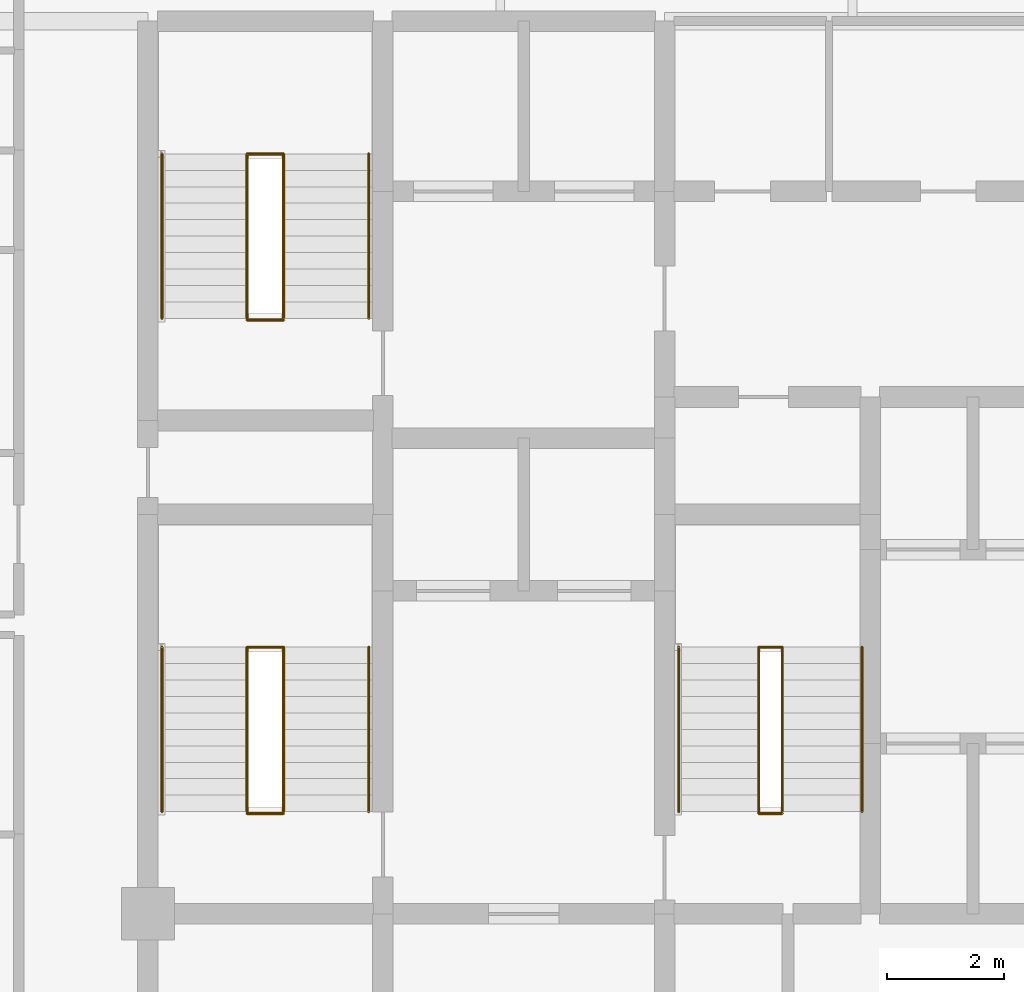
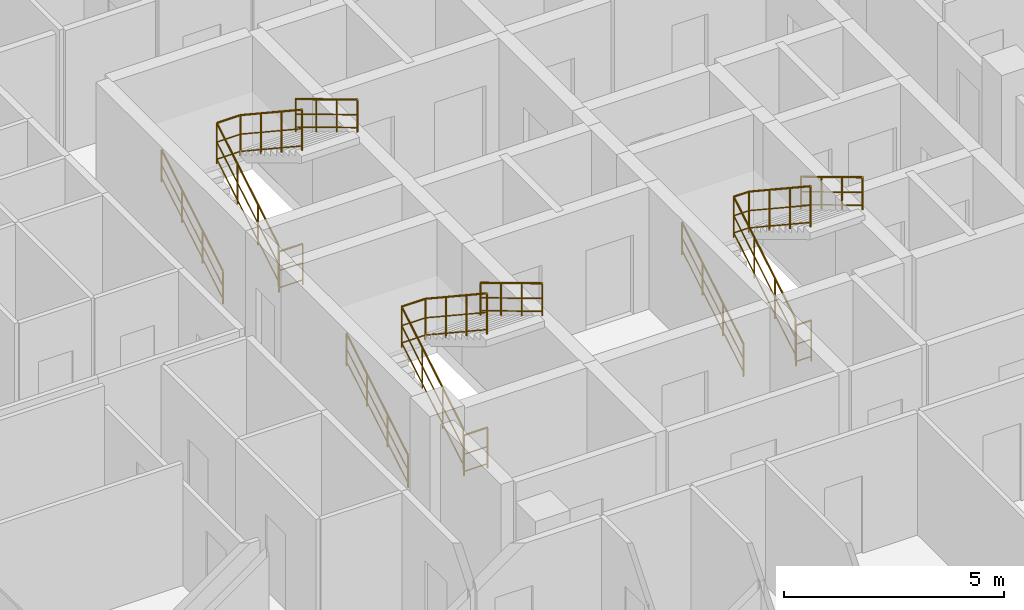
# One storey, part 29 of 29: 12 railings.
"""IFC4 building model written with IfcOpenShell, lengths in metres."""

from ifc_helpers import new_model, si_unit, direction, frame, origin, origin_2d, place, context, subcontext, project, spatial, circle, extrude, material, layer, layer_set, type_object, element, save


model = new_model("IFC4")

# Units and contexts
model_context = context("Model", 3, precision=1e-05, world=origin(), true_north=direction((0.0, 1.0)))
body_context = subcontext(model_context, "Body", "Model", "MODEL_VIEW")
ifc_project = project(units=[si_unit("LENGTHUNIT", "METRE"), si_unit("AREAUNIT", "SQUARE_METRE"), si_unit("VOLUMEUNIT", "CUBIC_METRE"), si_unit("PLANEANGLEUNIT", "RADIAN"), si_unit("MASSUNIT", "GRAM", prefix="KILO")], contexts=[model_context])

# Site, building, storey
site_placement = place(None, origin())
site = spatial("IfcSite", under=ifc_project, at=site_placement, CompositionType="ELEMENT")
building_placement = place(site_placement, origin())
building = spatial("IfcBuilding", under=site, at=building_placement, Name="Keshet Zoharim Tower", CompositionType="ELEMENT")
storey_placement = place(building_placement, frame((0.0, 0.0, 199.5)))
storey = spatial("IfcBuildingStorey", under=building, at=storey_placement, Name="L49", CompositionType="ELEMENT", Elevation=199.5)

# Railings
ifc_material = material(Name="Steel S355", Category="steel")
ifc_layer_1 = layer(ifc_material, 0.050048828125)
ifc_layer_set_1 = layer_set([ifc_layer_1], Name="Steel S355")
railing_type_1 = type_object("IfcRailingType", Name="RL-HND-092", PredefinedType="HANDRAIL", material=ifc_layer_set_1)
railing_1_placement = place(storey_placement, frame((15.239990234375, 24.43994140625, 0.168212890625)))
element("IfcRailing", 1, at=railing_1_placement, inside=storey, type_object=railing_type_1, Name="L49 ST-01 Flight 1 Wall Handrail", PredefinedType="HANDRAIL", context=body_context, shape_type="SweptSolid", body=[
    extrude(circle(Radius=0.02392578125, at=origin_2d()), frame((0.0, 0.0, 0.89599609375), z_axis=(0.0, 0.857242210791, 0.514913383045), x_axis=(-1.0, 0.0, 0.0)), (0.0, 0.0, 1.0), 3.266357421875),
    extrude(circle(Radius=0.01611328125, at=origin_2d()), frame((0.0, 0.0, 0.478271484375), z_axis=(0.0, 0.857242210791, 0.514913383045), x_axis=(-1.0, 0.0, 0.0)), (0.0, 0.0, 1.0), 3.266357421875),
    extrude(circle(Radius=0.01611328125, at=origin_2d()), frame((0.0, 0.0, 0.1201171875), z_axis=(0.0, 0.857242210791, 0.514913383045), x_axis=(-1.0, 0.0, 0.0)), (0.0, 0.0, 1.0), 3.266357421875),
    extrude(circle(Radius=0.02099609375, at=origin_2d()), origin(), (0.0, 0.0, 1.0), 0.871826171875),
    extrude(circle(Radius=0.02099609375, at=origin_2d()), frame((0.0, 0.933349609375, 0.560546875)), (0.0, 0.0, 1.0), 0.871826171875),
    extrude(circle(Radius=0.02099609375, at=origin_2d()), frame((0.0, 1.86669921875, 1.121337890625)), (0.0, 0.0, 1.0), 0.871826171875),
    extrude(circle(Radius=0.02099609375, at=origin_2d()), frame((0.0, 2.800048828125, 1.681884765625)), (0.0, 0.0, 1.0), 0.871826171875),
])
railing_2_placement = place(storey_placement, frame((18.760009765625, 27.239990234375, 2.018310546875)))
element("IfcRailing", 2, at=railing_2_placement, inside=storey, type_object=railing_type_1, Name="L49 ST-01 Flight 2 Wall Handrail", PredefinedType="HANDRAIL", context=body_context, shape_type="SweptSolid", body=[
    extrude(circle(Radius=0.02392578125, at=origin_2d()), frame((0.0, 0.0, 0.89599609375), z_axis=(0.0, -0.857275202839, 0.514858452973), x_axis=(1.0, 0.0, 0.0)), (0.0, 0.0, 1.0), 3.26611328125),
    extrude(circle(Radius=0.01611328125, at=origin_2d()), frame((0.0, 0.0, 0.478271484375), z_axis=(0.0, -0.857275202839, 0.514858452973), x_axis=(1.0, 0.0, 0.0)), (0.0, 0.0, 1.0), 3.26611328125),
    extrude(circle(Radius=0.01611328125, at=origin_2d()), frame((0.0, 0.0, 0.1201171875), z_axis=(0.0, -0.857275202839, 0.514858452973), x_axis=(1.0, 0.0, 0.0)), (0.0, 0.0, 1.0), 3.26611328125),
    extrude(circle(Radius=0.02099609375, at=origin_2d()), origin(), (0.0, 0.0, 1.0), 0.871826171875),
    extrude(circle(Radius=0.02099609375, at=origin_2d()), frame((0.0, -0.933349609375, 0.560546875)), (0.0, 0.0, 1.0), 0.871826171875),
    extrude(circle(Radius=0.02099609375, at=origin_2d()), frame((0.0, -1.86669921875, 1.12109375)), (0.0, 0.0, 1.0), 0.871826171875),
    extrude(circle(Radius=0.02099609375, at=origin_2d()), frame((0.0, -2.800048828125, 1.681640625)), (0.0, 0.0, 1.0), 0.871826171875),
])
railing_3_placement = place(storey_placement, frame((15.239990234375, 32.840087890625, 0.168212890625)))
element("IfcRailing", 3, at=railing_3_placement, inside=storey, type_object=railing_type_1, Name="L49 ST-02 Flight 1 Wall Handrail", PredefinedType="HANDRAIL", context=body_context, shape_type="SweptSolid", body=[
    extrude(circle(Radius=0.02392578125, at=origin_2d()), frame((0.0, 0.0, 0.89599609375), z_axis=(0.0, 0.857222391501, 0.514946377315), x_axis=(-1.0, 0.0, 0.0)), (0.0, 0.0, 1.0), 3.26611328125),
    extrude(circle(Radius=0.01611328125, at=origin_2d()), frame((0.0, 0.0, 0.478271484375), z_axis=(0.0, 0.857222391501, 0.514946377315), x_axis=(-1.0, 0.0, 0.0)), (0.0, 0.0, 1.0), 3.26611328125),
    extrude(circle(Radius=0.01611328125, at=origin_2d()), frame((0.0, 0.0, 0.1201171875), z_axis=(0.0, 0.857222391501, 0.514946377315), x_axis=(-1.0, 0.0, 0.0)), (0.0, 0.0, 1.0), 3.26611328125),
    extrude(circle(Radius=0.02099609375, at=origin_2d()), origin(), (0.0, 0.0, 1.0), 0.871826171875),
    extrude(circle(Radius=0.02099609375, at=origin_2d()), frame((0.0, 0.933349609375, 0.560546875)), (0.0, 0.0, 1.0), 0.871826171875),
    extrude(circle(Radius=0.02099609375, at=origin_2d()), frame((0.0, 1.866455078125, 1.121337890625)), (0.0, 0.0, 1.0), 0.871826171875),
    extrude(circle(Radius=0.02099609375, at=origin_2d()), frame((0.0, 2.7998046875, 1.681884765625)), (0.0, 0.0, 1.0), 0.871826171875),
])
railing_4_placement = place(storey_placement, frame((18.760009765625, 35.639892578125, 2.018310546875)))
element("IfcRailing", 4, at=railing_4_placement, inside=storey, type_object=railing_type_1, Name="L49 ST-02 Flight 2 Wall Handrail", PredefinedType="HANDRAIL", context=body_context, shape_type="SweptSolid", body=[
    extrude(circle(Radius=0.02392578125, at=origin_2d()), frame((0.0, 0.0, 0.89599609375), z_axis=(0.0, -0.857255387014, 0.514891446264), x_axis=(1.0, 0.0, 0.0)), (0.0, 0.0, 1.0), 3.26611328125),
    extrude(circle(Radius=0.01611328125, at=origin_2d()), frame((0.0, 0.0, 0.478271484375), z_axis=(0.0, -0.857255387014, 0.514891446264), x_axis=(1.0, 0.0, 0.0)), (0.0, 0.0, 1.0), 3.26611328125),
    extrude(circle(Radius=0.01611328125, at=origin_2d()), frame((0.0, 0.0, 0.1201171875), z_axis=(0.0, -0.857255387014, 0.514891446264), x_axis=(1.0, 0.0, 0.0)), (0.0, 0.0, 1.0), 3.26611328125),
    extrude(circle(Radius=0.02099609375, at=origin_2d()), origin(), (0.0, 0.0, 1.0), 0.871826171875),
    extrude(circle(Radius=0.02099609375, at=origin_2d()), frame((0.0, -0.933349609375, 0.560546875)), (0.0, 0.0, 1.0), 0.871826171875),
    extrude(circle(Radius=0.02099609375, at=origin_2d()), frame((0.0, -1.866455078125, 1.12109375)), (0.0, 0.0, 1.0), 0.871826171875),
    extrude(circle(Radius=0.02099609375, at=origin_2d()), frame((0.0, -2.7998046875, 1.681640625)), (0.0, 0.0, 1.0), 0.871826171875),
])
railing_5_placement = place(storey_placement, frame((24.0400390625, 24.43994140625, 0.168212890625)))
element("IfcRailing", 5, at=railing_5_placement, inside=storey, type_object=railing_type_1, Name="L49 ST-03 Flight 1 Wall Handrail", PredefinedType="HANDRAIL", context=body_context, shape_type="SweptSolid", body=[
    extrude(circle(Radius=0.02392578125, at=origin_2d()), frame((0.0, 0.0, 0.89599609375), z_axis=(0.0, 0.857242210791, 0.514913383045), x_axis=(-1.0, 0.0, 0.0)), (0.0, 0.0, 1.0), 3.266357421875),
    extrude(circle(Radius=0.01611328125, at=origin_2d()), frame((0.0, 0.0, 0.478271484375), z_axis=(0.0, 0.857242210791, 0.514913383045), x_axis=(-1.0, 0.0, 0.0)), (0.0, 0.0, 1.0), 3.266357421875),
    extrude(circle(Radius=0.01611328125, at=origin_2d()), frame((0.0, 0.0, 0.1201171875), z_axis=(0.0, 0.857242210791, 0.514913383045), x_axis=(-1.0, 0.0, 0.0)), (0.0, 0.0, 1.0), 3.266357421875),
    extrude(circle(Radius=0.02099609375, at=origin_2d()), origin(), (0.0, 0.0, 1.0), 0.871826171875),
    extrude(circle(Radius=0.02099609375, at=origin_2d()), frame((0.0, 0.933349609375, 0.560546875)), (0.0, 0.0, 1.0), 0.871826171875),
    extrude(circle(Radius=0.02099609375, at=origin_2d()), frame((0.0, 1.86669921875, 1.121337890625)), (0.0, 0.0, 1.0), 0.871826171875),
    extrude(circle(Radius=0.02099609375, at=origin_2d()), frame((0.0, 2.800048828125, 1.681884765625)), (0.0, 0.0, 1.0), 0.871826171875),
])
railing_6_placement = place(storey_placement, frame((27.159912109375, 27.239990234375, 2.018310546875)))
element("IfcRailing", 6, at=railing_6_placement, inside=storey, type_object=railing_type_1, Name="L49 ST-03 Flight 2 Wall Handrail", PredefinedType="HANDRAIL", context=body_context, shape_type="SweptSolid", body=[
    extrude(circle(Radius=0.02392578125, at=origin_2d()), frame((0.0, 0.0, 0.89599609375), z_axis=(0.0, -0.857275202839, 0.514858452973), x_axis=(1.0, 0.0, 0.0)), (0.0, 0.0, 1.0), 3.26611328125),
    extrude(circle(Radius=0.01611328125, at=origin_2d()), frame((0.0, 0.0, 0.478271484375), z_axis=(0.0, -0.857275202839, 0.514858452973), x_axis=(1.0, 0.0, 0.0)), (0.0, 0.0, 1.0), 3.26611328125),
    extrude(circle(Radius=0.01611328125, at=origin_2d()), frame((0.0, 0.0, 0.1201171875), z_axis=(0.0, -0.857275202839, 0.514858452973), x_axis=(1.0, 0.0, 0.0)), (0.0, 0.0, 1.0), 3.26611328125),
    extrude(circle(Radius=0.02099609375, at=origin_2d()), origin(), (0.0, 0.0, 1.0), 0.871826171875),
    extrude(circle(Radius=0.02099609375, at=origin_2d()), frame((0.0, -0.933349609375, 0.560546875)), (0.0, 0.0, 1.0), 0.871826171875),
    extrude(circle(Radius=0.02099609375, at=origin_2d()), frame((0.0, -1.86669921875, 1.12109375)), (0.0, 0.0, 1.0), 0.871826171875),
    extrude(circle(Radius=0.02099609375, at=origin_2d()), frame((0.0, -2.800048828125, 1.681640625)), (0.0, 0.0, 1.0), 0.871826171875),
])
ifc_layer_2 = layer(ifc_material, 0.06005859375)
ifc_layer_set_2 = layer_set([ifc_layer_2], Name="Steel S355")
railing_type_2 = type_object("IfcRailingType", Name="RL-STG-115", PredefinedType="GUARDRAIL", material=ifc_layer_set_2)
railing_7_placement = place(storey_placement, frame((16.68994140625, 24.43994140625, 0.168212890625)))
element("IfcRailing", 7, at=railing_7_placement, inside=storey, type_object=railing_type_2, Name="L49 ST-01 Inner Well Guardrail", PredefinedType="GUARDRAIL", context=body_context, shape_type="SweptSolid", body=[
    extrude(circle(Radius=0.02392578125, at=origin_2d()), frame((0.0, 0.0, 1.1259765625), z_axis=(0.0, 0.857242210791, 0.514913383045), x_axis=(-1.0, 0.0, 0.0)), (0.0, 0.0, 1.0), 3.266357421875),
    extrude(circle(Radius=0.01611328125, at=origin_2d()), frame((0.0, 0.0, 0.597900390625), z_axis=(0.0, 0.857242210791, 0.514913383045), x_axis=(-1.0, 0.0, 0.0)), (0.0, 0.0, 1.0), 3.266357421875),
    extrude(circle(Radius=0.01611328125, at=origin_2d()), frame((0.0, 0.0, 0.1201171875), z_axis=(0.0, 0.857242210791, 0.514913383045), x_axis=(-1.0, 0.0, 0.0)), (0.0, 0.0, 1.0), 3.266357421875),
    extrude(circle(Radius=0.02392578125, at=origin_2d()), frame((0.0, 2.800048828125, 2.8076171875), z_axis=(1.0, 0.0, 0.0), x_axis=(0.0, 1.0, 0.0)), (0.0, 0.0, 1.0), 0.6201171875),
    extrude(circle(Radius=0.01611328125, at=origin_2d()), frame((0.0, 2.800048828125, 2.27978515625), z_axis=(1.0, 0.0, 0.0), x_axis=(0.0, 1.0, 0.0)), (0.0, 0.0, 1.0), 0.6201171875),
    extrude(circle(Radius=0.01611328125, at=origin_2d()), frame((0.0, 2.800048828125, 1.802001953125), z_axis=(1.0, 0.0, 0.0), x_axis=(0.0, 1.0, 0.0)), (0.0, 0.0, 1.0), 0.6201171875),
    extrude(circle(Radius=0.02392578125, at=origin_2d()), frame((0.6201171875, 2.800048828125, 2.8076171875), z_axis=(0.0, -0.83435981716, 0.551220187865), x_axis=(1.0, 0.0, 0.0)), (0.0, 0.0, 1.0), 3.35595703125),
    extrude(circle(Radius=0.01611328125, at=origin_2d()), frame((0.6201171875, 2.800048828125, 2.27978515625), z_axis=(0.0, -0.83435981716, 0.551220187865), x_axis=(1.0, 0.0, 0.0)), (0.0, 0.0, 1.0), 3.35595703125),
    extrude(circle(Radius=0.01611328125, at=origin_2d()), frame((0.6201171875, 2.800048828125, 1.802001953125), z_axis=(0.0, -0.83435981716, 0.551220187865), x_axis=(1.0, 0.0, 0.0)), (0.0, 0.0, 1.0), 3.35595703125),
    extrude(circle(Radius=0.02099609375, at=origin_2d()), origin(), (0.0, 0.0, 1.0), 1.101806640625),
    extrude(circle(Radius=0.02099609375, at=origin_2d()), frame((0.0, 0.933349609375, 0.560546875)), (0.0, 0.0, 1.0), 1.101806640625),
    extrude(circle(Radius=0.02099609375, at=origin_2d()), frame((0.0, 1.86669921875, 1.121337890625)), (0.0, 0.0, 1.0), 1.101806640625),
    extrude(circle(Radius=0.02099609375, at=origin_2d()), frame((0.0, 2.800048828125, 1.681884765625)), (0.0, 0.0, 1.0), 1.101806640625),
    extrude(circle(Radius=0.02099609375, at=origin_2d()), frame((0.6201171875, 2.800048828125, 1.681884765625)), (0.0, 0.0, 1.0), 1.101806640625),
    extrude(circle(Radius=0.02099609375, at=origin_2d()), frame((0.6201171875, 1.86669921875, 2.298583984375)), (0.0, 0.0, 1.0), 1.101806640625),
    extrude(circle(Radius=0.02099609375, at=origin_2d()), frame((0.6201171875, 0.933349609375, 2.9150390625)), (0.0, 0.0, 1.0), 1.101806640625),
    extrude(circle(Radius=0.02099609375, at=origin_2d()), frame((0.6201171875, 0.0, 3.53173828125)), (0.0, 0.0, 1.0), 1.101806640625),
])
railing_8_placement = place(storey_placement, frame((16.68994140625, 24.409912109375, 0.0)))
element("IfcRailing", 8, at=railing_8_placement, inside=storey, type_object=railing_type_2, Name="L49 ST-01 Stairwell Floor Guardrail", PredefinedType="GUARDRAIL", context=body_context, shape_type="SweptSolid", body=[
    extrude(circle(Radius=0.02392578125, at=origin_2d()), frame((0.0, 0.0, 1.1259765625), z_axis=(1.0, 0.0, 0.0), x_axis=(0.0, 1.0, 0.0)), (0.0, 0.0, 1.0), 0.6201171875),
    extrude(circle(Radius=0.01611328125, at=origin_2d()), frame((0.0, 0.0, 0.597900390625), z_axis=(1.0, 0.0, 0.0), x_axis=(0.0, 1.0, 0.0)), (0.0, 0.0, 1.0), 0.6201171875),
    extrude(circle(Radius=0.01611328125, at=origin_2d()), frame((0.0, 0.0, 0.1201171875), z_axis=(1.0, 0.0, 0.0), x_axis=(0.0, 1.0, 0.0)), (0.0, 0.0, 1.0), 0.6201171875),
    extrude(circle(Radius=0.02099609375, at=origin_2d()), origin(), (0.0, 0.0, 1.0), 1.101806640625),
    extrude(circle(Radius=0.02099609375, at=origin_2d()), frame((0.6201171875, 0.0, 0.0)), (0.0, 0.0, 1.0), 1.101806640625),
])
railing_9_placement = place(storey_placement, frame((16.68994140625, 32.840087890625, 0.168212890625)))
element("IfcRailing", 9, at=railing_9_placement, inside=storey, type_object=railing_type_2, Name="L49 ST-02 Inner Well Guardrail", PredefinedType="GUARDRAIL", context=body_context, shape_type="SweptSolid", body=[
    extrude(circle(Radius=0.02392578125, at=origin_2d()), frame((0.0, 0.0, 1.1259765625), z_axis=(0.0, 0.857222391501, 0.514946377315), x_axis=(-1.0, 0.0, 0.0)), (0.0, 0.0, 1.0), 3.26611328125),
    extrude(circle(Radius=0.01611328125, at=origin_2d()), frame((0.0, 0.0, 0.597900390625), z_axis=(0.0, 0.857222391501, 0.514946377315), x_axis=(-1.0, 0.0, 0.0)), (0.0, 0.0, 1.0), 3.26611328125),
    extrude(circle(Radius=0.01611328125, at=origin_2d()), frame((0.0, 0.0, 0.1201171875), z_axis=(0.0, 0.857222391501, 0.514946377315), x_axis=(-1.0, 0.0, 0.0)), (0.0, 0.0, 1.0), 3.26611328125),
    extrude(circle(Radius=0.02392578125, at=origin_2d()), frame((0.0, 2.7998046875, 2.8076171875), z_axis=(1.0, 0.0, 0.0), x_axis=(0.0, 1.0, 0.0)), (0.0, 0.0, 1.0), 0.6201171875),
    extrude(circle(Radius=0.01611328125, at=origin_2d()), frame((0.0, 2.7998046875, 2.27978515625), z_axis=(1.0, 0.0, 0.0), x_axis=(0.0, 1.0, 0.0)), (0.0, 0.0, 1.0), 0.6201171875),
    extrude(circle(Radius=0.01611328125, at=origin_2d()), frame((0.0, 2.7998046875, 1.802001953125), z_axis=(1.0, 0.0, 0.0), x_axis=(0.0, 1.0, 0.0)), (0.0, 0.0, 1.0), 0.6201171875),
    extrude(circle(Radius=0.02392578125, at=origin_2d()), frame((0.6201171875, 2.7998046875, 2.8076171875), z_axis=(0.0, -0.834337710781, 0.551253647941), x_axis=(1.0, 0.0, 0.0)), (0.0, 0.0, 1.0), 3.355712890625),
    extrude(circle(Radius=0.01611328125, at=origin_2d()), frame((0.6201171875, 2.7998046875, 2.27978515625), z_axis=(0.0, -0.834337710781, 0.551253647941), x_axis=(1.0, 0.0, 0.0)), (0.0, 0.0, 1.0), 3.355712890625),
    extrude(circle(Radius=0.01611328125, at=origin_2d()), frame((0.6201171875, 2.7998046875, 1.802001953125), z_axis=(0.0, -0.834337710781, 0.551253647941), x_axis=(1.0, 0.0, 0.0)), (0.0, 0.0, 1.0), 3.355712890625),
    extrude(circle(Radius=0.02099609375, at=origin_2d()), origin(), (0.0, 0.0, 1.0), 1.101806640625),
    extrude(circle(Radius=0.02099609375, at=origin_2d()), frame((0.0, 0.933349609375, 0.560546875)), (0.0, 0.0, 1.0), 1.101806640625),
    extrude(circle(Radius=0.02099609375, at=origin_2d()), frame((0.0, 1.866455078125, 1.121337890625)), (0.0, 0.0, 1.0), 1.101806640625),
    extrude(circle(Radius=0.02099609375, at=origin_2d()), frame((0.0, 2.7998046875, 1.681884765625)), (0.0, 0.0, 1.0), 1.101806640625),
    extrude(circle(Radius=0.02099609375, at=origin_2d()), frame((0.6201171875, 2.7998046875, 1.681884765625)), (0.0, 0.0, 1.0), 1.101806640625),
    extrude(circle(Radius=0.02099609375, at=origin_2d()), frame((0.6201171875, 1.866455078125, 2.298583984375)), (0.0, 0.0, 1.0), 1.101806640625),
    extrude(circle(Radius=0.02099609375, at=origin_2d()), frame((0.6201171875, 0.933349609375, 2.9150390625)), (0.0, 0.0, 1.0), 1.101806640625),
    extrude(circle(Radius=0.02099609375, at=origin_2d()), frame((0.6201171875, 0.0, 3.53173828125)), (0.0, 0.0, 1.0), 1.101806640625),
])
railing_10_placement = place(storey_placement, frame((16.68994140625, 32.81005859375, 0.0)))
element("IfcRailing", 10, at=railing_10_placement, inside=storey, type_object=railing_type_2, Name="L49 ST-02 Stairwell Floor Guardrail", PredefinedType="GUARDRAIL", context=body_context, shape_type="SweptSolid", body=[
    extrude(circle(Radius=0.02392578125, at=origin_2d()), frame((0.0, 0.0, 1.1259765625), z_axis=(1.0, 0.0, 0.0), x_axis=(0.0, 1.0, 0.0)), (0.0, 0.0, 1.0), 0.6201171875),
    extrude(circle(Radius=0.01611328125, at=origin_2d()), frame((0.0, 0.0, 0.597900390625), z_axis=(1.0, 0.0, 0.0), x_axis=(0.0, 1.0, 0.0)), (0.0, 0.0, 1.0), 0.6201171875),
    extrude(circle(Radius=0.01611328125, at=origin_2d()), frame((0.0, 0.0, 0.1201171875), z_axis=(1.0, 0.0, 0.0), x_axis=(0.0, 1.0, 0.0)), (0.0, 0.0, 1.0), 0.6201171875),
    extrude(circle(Radius=0.02099609375, at=origin_2d()), origin(), (0.0, 0.0, 1.0), 1.101806640625),
    extrude(circle(Radius=0.02099609375, at=origin_2d()), frame((0.6201171875, 0.0, 0.0)), (0.0, 0.0, 1.0), 1.101806640625),
])
railing_11_placement = place(storey_placement, frame((25.39990234375, 24.43994140625, 0.168212890625)))
element("IfcRailing", 11, at=railing_11_placement, inside=storey, type_object=railing_type_2, Name="L49 ST-03 Inner Well Guardrail", PredefinedType="GUARDRAIL", context=body_context, shape_type="SweptSolid", body=[
    extrude(circle(Radius=0.02392578125, at=origin_2d()), frame((0.0, 0.0, 1.1259765625), z_axis=(0.0, 0.857242210791, 0.514913383045), x_axis=(-1.0, 0.0, 0.0)), (0.0, 0.0, 1.0), 3.266357421875),
    extrude(circle(Radius=0.01611328125, at=origin_2d()), frame((0.0, 0.0, 0.597900390625), z_axis=(0.0, 0.857242210791, 0.514913383045), x_axis=(-1.0, 0.0, 0.0)), (0.0, 0.0, 1.0), 3.266357421875),
    extrude(circle(Radius=0.01611328125, at=origin_2d()), frame((0.0, 0.0, 0.1201171875), z_axis=(0.0, 0.857242210791, 0.514913383045), x_axis=(-1.0, 0.0, 0.0)), (0.0, 0.0, 1.0), 3.266357421875),
    extrude(circle(Radius=0.02392578125, at=origin_2d()), frame((0.0, 2.800048828125, 2.8076171875), z_axis=(1.0, 0.0, 0.0), x_axis=(0.0, 1.0, 0.0)), (0.0, 0.0, 1.0), 0.400146484375),
    extrude(circle(Radius=0.01611328125, at=origin_2d()), frame((0.0, 2.800048828125, 2.27978515625), z_axis=(1.0, 0.0, 0.0), x_axis=(0.0, 1.0, 0.0)), (0.0, 0.0, 1.0), 0.400146484375),
    extrude(circle(Radius=0.01611328125, at=origin_2d()), frame((0.0, 2.800048828125, 1.802001953125), z_axis=(1.0, 0.0, 0.0), x_axis=(0.0, 1.0, 0.0)), (0.0, 0.0, 1.0), 0.400146484375),
    extrude(circle(Radius=0.02392578125, at=origin_2d()), frame((0.400146484375, 2.800048828125, 2.8076171875), z_axis=(0.0, -0.83435981716, 0.551220187865), x_axis=(1.0, 0.0, 0.0)), (0.0, 0.0, 1.0), 3.35595703125),
    extrude(circle(Radius=0.01611328125, at=origin_2d()), frame((0.400146484375, 2.800048828125, 2.27978515625), z_axis=(0.0, -0.83435981716, 0.551220187865), x_axis=(1.0, 0.0, 0.0)), (0.0, 0.0, 1.0), 3.35595703125),
    extrude(circle(Radius=0.01611328125, at=origin_2d()), frame((0.400146484375, 2.800048828125, 1.802001953125), z_axis=(0.0, -0.83435981716, 0.551220187865), x_axis=(1.0, 0.0, 0.0)), (0.0, 0.0, 1.0), 3.35595703125),
    extrude(circle(Radius=0.02099609375, at=origin_2d()), origin(), (0.0, 0.0, 1.0), 1.101806640625),
    extrude(circle(Radius=0.02099609375, at=origin_2d()), frame((0.0, 0.933349609375, 0.560546875)), (0.0, 0.0, 1.0), 1.101806640625),
    extrude(circle(Radius=0.02099609375, at=origin_2d()), frame((0.0, 1.86669921875, 1.121337890625)), (0.0, 0.0, 1.0), 1.101806640625),
    extrude(circle(Radius=0.02099609375, at=origin_2d()), frame((0.0, 2.800048828125, 1.681884765625)), (0.0, 0.0, 1.0), 1.101806640625),
    extrude(circle(Radius=0.02099609375, at=origin_2d()), frame((0.400146484375, 2.800048828125, 1.681884765625)), (0.0, 0.0, 1.0), 1.101806640625),
    extrude(circle(Radius=0.02099609375, at=origin_2d()), frame((0.400146484375, 1.86669921875, 2.298583984375)), (0.0, 0.0, 1.0), 1.101806640625),
    extrude(circle(Radius=0.02099609375, at=origin_2d()), frame((0.400146484375, 0.933349609375, 2.9150390625)), (0.0, 0.0, 1.0), 1.101806640625),
    extrude(circle(Radius=0.02099609375, at=origin_2d()), frame((0.400146484375, 0.0, 3.53173828125)), (0.0, 0.0, 1.0), 1.101806640625),
])
railing_12_placement = place(storey_placement, frame((25.39990234375, 24.409912109375, 0.0)))
element("IfcRailing", 12, at=railing_12_placement, inside=storey, type_object=railing_type_2, Name="L49 ST-03 Stairwell Floor Guardrail", PredefinedType="GUARDRAIL", context=body_context, shape_type="SweptSolid", body=[
    extrude(circle(Radius=0.02392578125, at=origin_2d()), frame((0.0, 0.0, 1.1259765625), z_axis=(1.0, 0.0, 0.0), x_axis=(0.0, 1.0, 0.0)), (0.0, 0.0, 1.0), 0.400146484375),
    extrude(circle(Radius=0.01611328125, at=origin_2d()), frame((0.0, 0.0, 0.597900390625), z_axis=(1.0, 0.0, 0.0), x_axis=(0.0, 1.0, 0.0)), (0.0, 0.0, 1.0), 0.400146484375),
    extrude(circle(Radius=0.01611328125, at=origin_2d()), frame((0.0, 0.0, 0.1201171875), z_axis=(1.0, 0.0, 0.0), x_axis=(0.0, 1.0, 0.0)), (0.0, 0.0, 1.0), 0.400146484375),
    extrude(circle(Radius=0.02099609375, at=origin_2d()), origin(), (0.0, 0.0, 1.0), 1.101806640625),
    extrude(circle(Radius=0.02099609375, at=origin_2d()), frame((0.400146484375, 0.0, 0.0)), (0.0, 0.0, 1.0), 1.101806640625),
])

save(model, "model.ifc")
